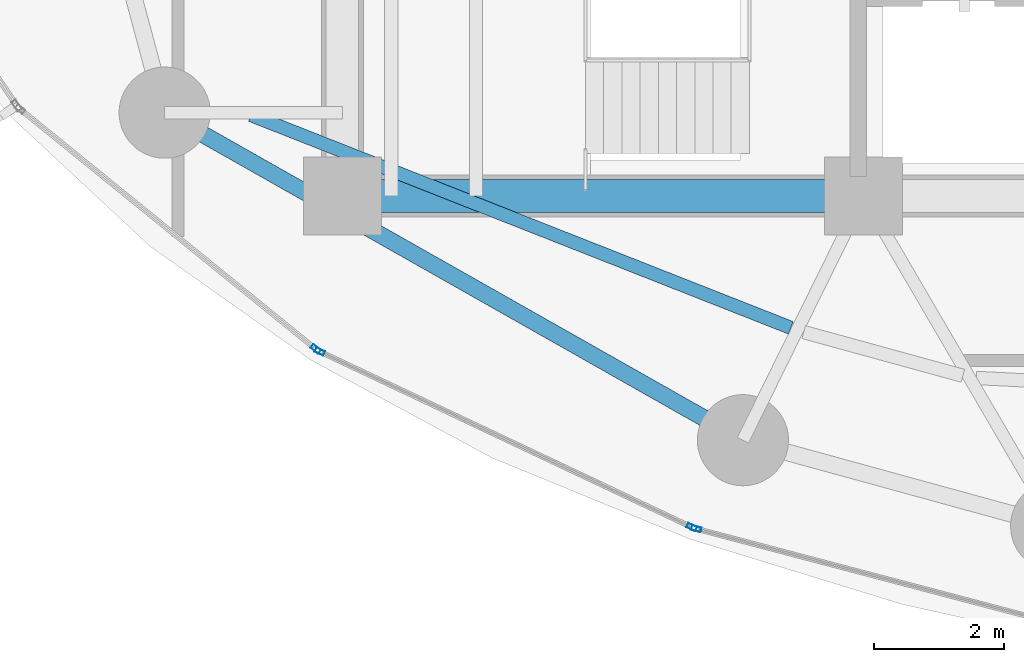
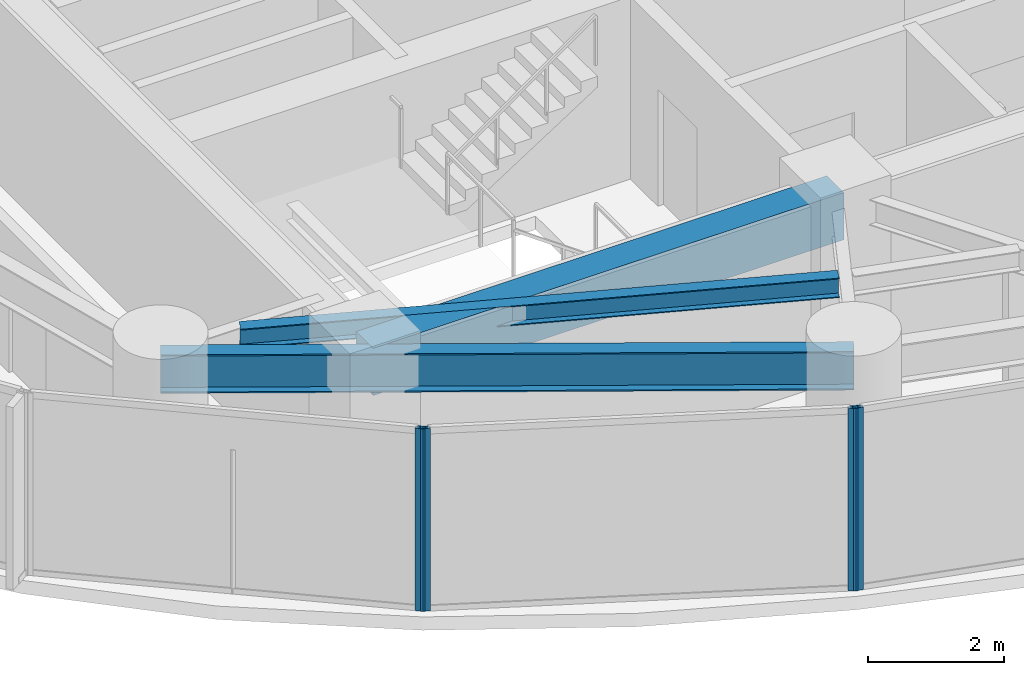
# One storey, part 2 of 30: 4 members, 3 beams, 3 elements without a shape of their own.
"""IFC4 building model written with IfcOpenShell, lengths in metres."""

from ifc_helpers import new_model, si_unit, direction, frame, origin, origin_2d, place, context, subcontext, project, spatial, rectangle, hollow_rectangle, i_section, extrude, material, layer, layer_set, material_profile, profile_set, type_object, element, aggregate, save


model = new_model("IFC4")

# Units and contexts
model_context = context("Model", 3, precision=1e-05, world=origin(), true_north=direction((0.0, 1.0)))
body_context = subcontext(model_context, "Body", "Model", "MODEL_VIEW")
ifc_project = project(units=[si_unit("LENGTHUNIT", "METRE"), si_unit("AREAUNIT", "SQUARE_METRE"), si_unit("VOLUMEUNIT", "CUBIC_METRE"), si_unit("PLANEANGLEUNIT", "RADIAN"), si_unit("MASSUNIT", "GRAM", prefix="KILO")], contexts=[model_context])

# Site, building, storey
site_placement = place(None, origin())
site = spatial("IfcSite", under=ifc_project, at=site_placement, CompositionType="ELEMENT")
building_placement = place(site_placement, origin())
building = spatial("IfcBuilding", under=site, at=building_placement, Name="Kazevale Care Tower and Concert Hall", CompositionType="ELEMENT")
storey_placement = place(building_placement, frame((0.0, 0.0, 88.800048828125)))
storey = spatial("IfcBuildingStorey", under=building, at=storey_placement, Name="L23", CompositionType="ELEMENT", Elevation=88.800048828125)

# Curtain wall, member
ifc_material_1 = material(Name="Aluminium 6063-T6 and Low-E Glass", Category="aluminium")
ifc_layer = layer(ifc_material_1, 0.179931640625)
ifc_layer_set = layer_set([ifc_layer], Name="Aluminium 6063-T6 and Low-E Glass")
curtain_wall_type = type_object("IfcCurtainWallType", Name="Sheltered Concave Balcony Curtain Wall CW-5", PredefinedType="NOTDEFINED", material=ifc_layer_set)
curtain_wall_1_placement = place(storey_placement, origin())
curtain_wall_1 = element("IfcCurtainWall", 1, at=curtain_wall_1_placement, inside=storey, type_object=curtain_wall_type, Name="cw:L23:f08", PredefinedType="NOTDEFINED")
ifc_material_2 = material(Name="Aluminium 6063-T6", Category="aluminium")
ifc_material_profile_1 = material_profile(ifc_material_2, hollow_rectangle(XDim=0.074951171875, YDim=0.14990234375, WallThickness=0.00390625, at=origin_2d()), Name="ALU75x150x4")
ifc_profile_set_1 = profile_set([ifc_material_profile_1], Name="Aluminium 6063-T6")
member_type = type_object("IfcMemberType", Name="CW-5 Mullion ALU75x150x4", PredefinedType="MULLION", material=ifc_profile_set_1)
member_1_placement = place(storey_placement, frame((27.433349609375, 18.489501953125, 0.0), z_axis=(0.0, 0.0, 1.0), x_axis=(-0.254828630267, -0.966986230097, 0.0)))
member_1 = element("IfcMember", 2, at=member_1_placement, type_object=member_type, Name="CW-5 mullion 2", PredefinedType="MULLION", context=body_context, shape_type="SweptSolid", body=[
    extrude(hollow_rectangle(XDim=0.074951171875, YDim=0.14990234375, WallThickness=0.00390625, at=origin_2d()), origin(), (0.0, 0.0, 1.0), 3.280029296875),
])
aggregate(curtain_wall_1, [member_1])

# Curtain wall, members
curtain_wall_2_placement = place(storey_placement, origin())
curtain_wall_2 = element("IfcCurtainWall", 3, at=curtain_wall_2_placement, inside=storey, type_object=curtain_wall_type, Name="cw:L23:f09", PredefinedType="NOTDEFINED")
member_2_placement = place(storey_placement, frame((27.363037109375, 18.514892578125, 0.0), z_axis=(0.0, 0.0, 1.0), x_axis=(-0.426942320459, -0.904278859092, 0.0)))
member_2 = element("IfcMember", 4, at=member_2_placement, type_object=member_type, Name="CW-5 mullion 1", PredefinedType="MULLION", context=body_context, shape_type="SweptSolid", body=[
    extrude(hollow_rectangle(XDim=0.074951171875, YDim=0.14990234375, WallThickness=0.00390625, at=origin_2d()), origin(), (0.0, 0.0, 1.0), 3.280029296875),
])
member_3_placement = place(storey_placement, frame((21.65283203125, 21.2109375, 0.0), z_axis=(0.0, 0.0, 1.0), x_axis=(-0.426942320459, -0.904278859092, 0.0)))
member_3 = element("IfcMember", 5, at=member_3_placement, type_object=member_type, Name="CW-5 mullion 2", PredefinedType="MULLION", context=body_context, shape_type="SweptSolid", body=[
    extrude(hollow_rectangle(XDim=0.074951171875, YDim=0.14990234375, WallThickness=0.00390625, at=origin_2d()), origin(), (0.0, 0.0, 1.0), 3.280029296875),
])
aggregate(curtain_wall_2, [member_2, member_3])

# Curtain wall, member
curtain_wall_3_placement = place(storey_placement, origin())
curtain_wall_3 = element("IfcCurtainWall", 6, at=curtain_wall_3_placement, inside=storey, type_object=curtain_wall_type, Name="cw:L23:f10", PredefinedType="NOTDEFINED")
member_4_placement = place(storey_placement, frame((21.58984375, 21.250732421875, 0.0), z_axis=(0.0, 0.0, 1.0), x_axis=(-0.629994732952, -0.77659940539, 0.0)))
member_4 = element("IfcMember", 7, at=member_4_placement, type_object=member_type, Name="CW-5 mullion 1", PredefinedType="MULLION", context=body_context, shape_type="SweptSolid", body=[
    extrude(hollow_rectangle(XDim=0.074951171875, YDim=0.14990234375, WallThickness=0.00390625, at=origin_2d()), origin(), (0.0, 0.0, 1.0), 3.280029296875),
])
aggregate(curtain_wall_3, [member_4])

# Beams
ifc_material_3 = material(Name="Concrete C60", Category="concrete")
ifc_material_profile_2 = material_profile(ifc_material_3, rectangle(XDim=0.5, YDim=0.85009765625, at=origin_2d()), Name="RC-B500x850")
ifc_profile_set_2 = profile_set([ifc_material_profile_2], Name="Concrete C60")
beam_type_1 = type_object("IfcBeamType", Name="Core Coupling Beam RC500x850", PredefinedType="LINTEL", material=ifc_profile_set_2)
beam_1_placement = place(storey_placement, frame((22.0, 23.60009765625, 2.85498046875), z_axis=(1.0, 0.0, 0.0), x_axis=(0.0, 1.0, 0.0)))
element("IfcBeam", 8, at=beam_1_placement, inside=storey, type_object=beam_type_1, Name="beam:L23:coretie:1", PredefinedType="LINTEL", context=body_context, shape_type="SweptSolid", body=[
    extrude(rectangle(XDim=0.5, YDim=0.85009765625, at=origin_2d()), origin(), (0.0, 0.0, 1.0), 8.0),
])
ifc_material_4 = material(Name="Steel ASTM A572 Gr 50", Category="steel")
ifc_material_profile_3 = material_profile(ifc_material_4, i_section(OverallWidth=0.205078125, OverallDepth=0.35400390625, WebThickness=0.009521484375, FlangeThickness=0.016845703125, at=origin_2d()), Name="W360x79")
ifc_profile_set_3 = profile_set([ifc_material_profile_3], Name="Steel ASTM A572 Gr 50")
beam_type_2 = type_object("IfcBeamType", Name="Secondary Floor Joist W360x79", PredefinedType="JOIST", material=ifc_profile_set_3)
beam_2_placement = place(storey_placement, frame((20.595947265625, 24.842041015625, 3.10302734375), z_axis=(0.930380638802, -0.366594963062, 0.0), x_axis=(0.366594963062, 0.930380638802, 0.0)))
element("IfcBeam", 9, at=beam_2_placement, inside=storey, type_object=beam_type_2, Name="beam:L23:joist:10", PredefinedType="JOIST", context=body_context, shape_type="SweptSolid", body=[
    extrude(i_section(OverallWidth=0.205078125, OverallDepth=0.35400390625, WebThickness=0.009521484375, FlangeThickness=0.016845703125, at=origin_2d()), origin(), (0.0, 0.0, 1.0), 8.909423828125),
])
ifc_material_profile_4 = material_profile(ifc_material_4, i_section(OverallWidth=0.256103515625, OverallDepth=0.693115234375, WebThickness=0.014404296875, FlangeThickness=0.023681640625, at=origin_2d()), Name="W690x170")
ifc_profile_set_4 = profile_set([ifc_material_profile_4], Name="Steel ASTM A572 Gr 50")
beam_type_3 = type_object("IfcBeamType", Name="Waist Ring Beam W690x170", PredefinedType="BEAM", material=ifc_profile_set_4)
beam_3_placement = place(storey_placement, frame((19.27001953125, 24.8798828125, 2.933349609375), z_axis=(0.870112469479, -0.492853213906, 0.0), x_axis=(0.492853213906, 0.870112469479, 0.0)))
element("IfcBeam", 10, at=beam_3_placement, inside=storey, type_object=beam_type_3, Name="beam:L23:ring:10", PredefinedType="BEAM", context=body_context, shape_type="SweptSolid", body=[
    extrude(i_section(OverallWidth=0.256103515625, OverallDepth=0.693115234375, WebThickness=0.014404296875, FlangeThickness=0.023681640625, at=origin_2d()), origin(), (0.0, 0.0, 1.0), 10.205322265625),
])

save(model, "model.ifc")
